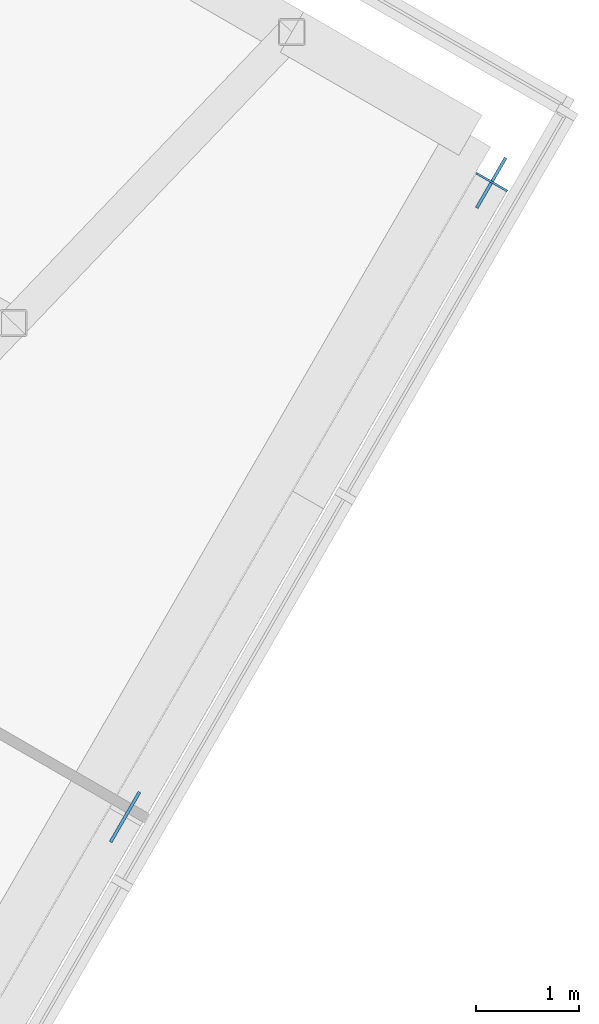
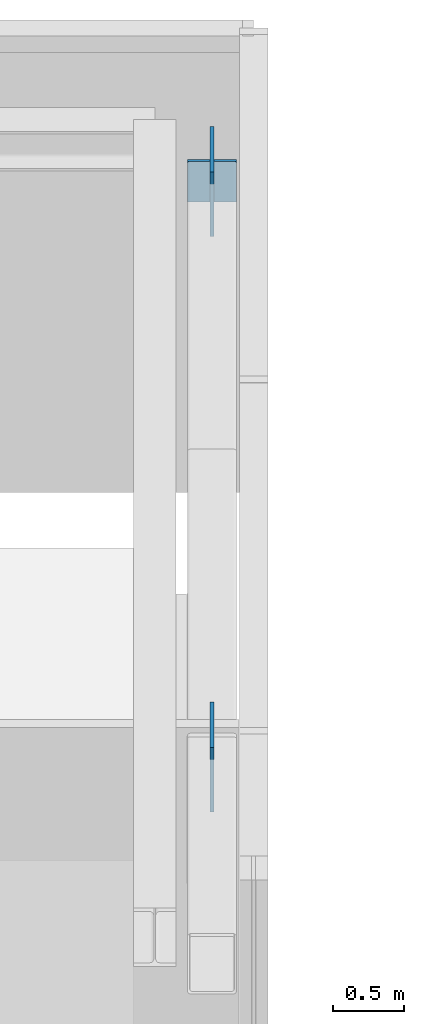
# One storey, part 25 of 28: 3 discrete accessories.
"""IFC4 building model written with IfcOpenShell, lengths in metres."""

from ifc_helpers import new_model, si_unit, direction, frame, origin, origin_2d, place, context, subcontext, project, spatial, rectangle, extrude, material, layer, layer_set, type_object, element, save


model = new_model("IFC4")

# Units and contexts
model_context = context("Model", 3, precision=1e-05, world=origin(), true_north=direction((0.0, 1.0)))
body_context = subcontext(model_context, "Body", "Model", "MODEL_VIEW")
ifc_project = project(units=[si_unit("LENGTHUNIT", "METRE"), si_unit("AREAUNIT", "SQUARE_METRE"), si_unit("VOLUMEUNIT", "CUBIC_METRE"), si_unit("PLANEANGLEUNIT", "RADIAN"), si_unit("MASSUNIT", "GRAM", prefix="KILO")], contexts=[model_context])

# Site, building, storey
site_placement = place(None, origin())
site = spatial("IfcSite", under=ifc_project, at=site_placement, CompositionType="ELEMENT")
building_placement = place(site_placement, origin())
building = spatial("IfcBuilding", under=site, at=building_placement, Name="Ayvan Gate Tower", CompositionType="ELEMENT")
storey_placement = place(building_placement, frame((0.0, 0.0, 143.89990234375)))
storey = spatial("IfcBuildingStorey", under=building, at=storey_placement, Name="L38", CompositionType="ELEMENT", Elevation=143.89990234375)

# Discrete accessories
ifc_material = material(Name="Steel S460ML", Category="steel")
ifc_layer_1 = layer(ifc_material, 0.030029296875)
ifc_layer_set_1 = layer_set([ifc_layer_1], Name="Steel S460ML")
discrete_accessory_type_1 = type_object("IfcDiscreteAccessoryType", Name="Gusset plate 30 mm", PredefinedType="BRACKET", material=ifc_layer_set_1)
for number, where, z_axis, x_axis, name in (
    (1, (32.085693359375, 12.26416015625, 3.094970703125), (0.0, 0.0, 1.0), (0.5, 0.866025403784, 0.0), "Gusset plate SBX3-B-D-3"),
    (2, (35.6357421875, 18.412841796875, 3.094970703125), (0.0, 0.0, 1.0), (0.5, 0.866025403784, 0.0), "Gusset plate SBX3-B-D-5"),
):
    element("IfcDiscreteAccessory", number, at=place(storey_placement, frame(where, z_axis=z_axis, x_axis=x_axis)), inside=storey, type_object=discrete_accessory_type_1, Name=name, PredefinedType="BRACKET", context=body_context, shape_type="SweptSolid", body=[
        extrude(rectangle(XDim=0.56005859375, YDim=0.030029296875, at=origin_2d()), origin(), (0.0, 0.0, 1.0), 0.56005859375),
    ])
ifc_layer_2 = layer(ifc_material, 0.02001953125)
ifc_layer_set_2 = layer_set([ifc_layer_2], Name="Steel S460ML")
discrete_accessory_type_2 = type_object("IfcDiscreteAccessoryType", Name="Sky bar end cap plate", PredefinedType="BRACKET", material=ifc_layer_set_2)
discrete_accessory_placement = place(storey_placement, frame((35.640869140625, 18.421630859375, 3.199951171875), z_axis=(0.0, 0.0, 1.0), x_axis=(0.5, 0.866025403784, 0.0)))
element("IfcDiscreteAccessory", 3, at=discrete_accessory_placement, inside=storey, type_object=discrete_accessory_type_2, Name="End cap SBX3-B-TC-5:EC", PredefinedType="BRACKET", context=body_context, shape_type="SweptSolid", body=[
    extrude(rectangle(XDim=0.02001953125, YDim=0.35009765625, at=origin_2d()), origin(), (0.0, 0.0, 1.0), 0.35009765625),
])

save(model, "model.ifc")
